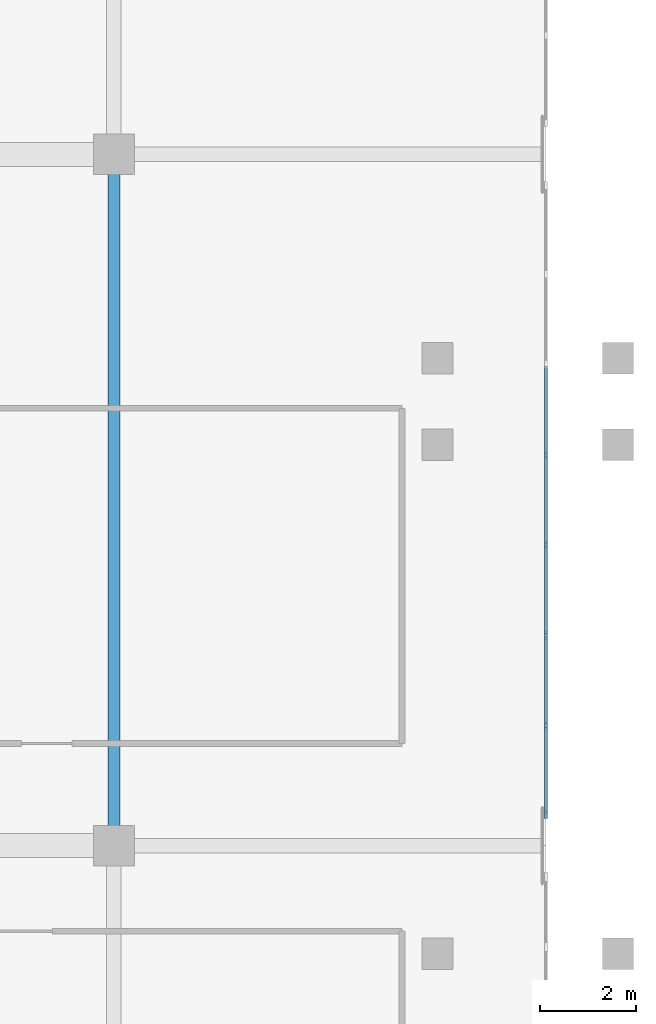
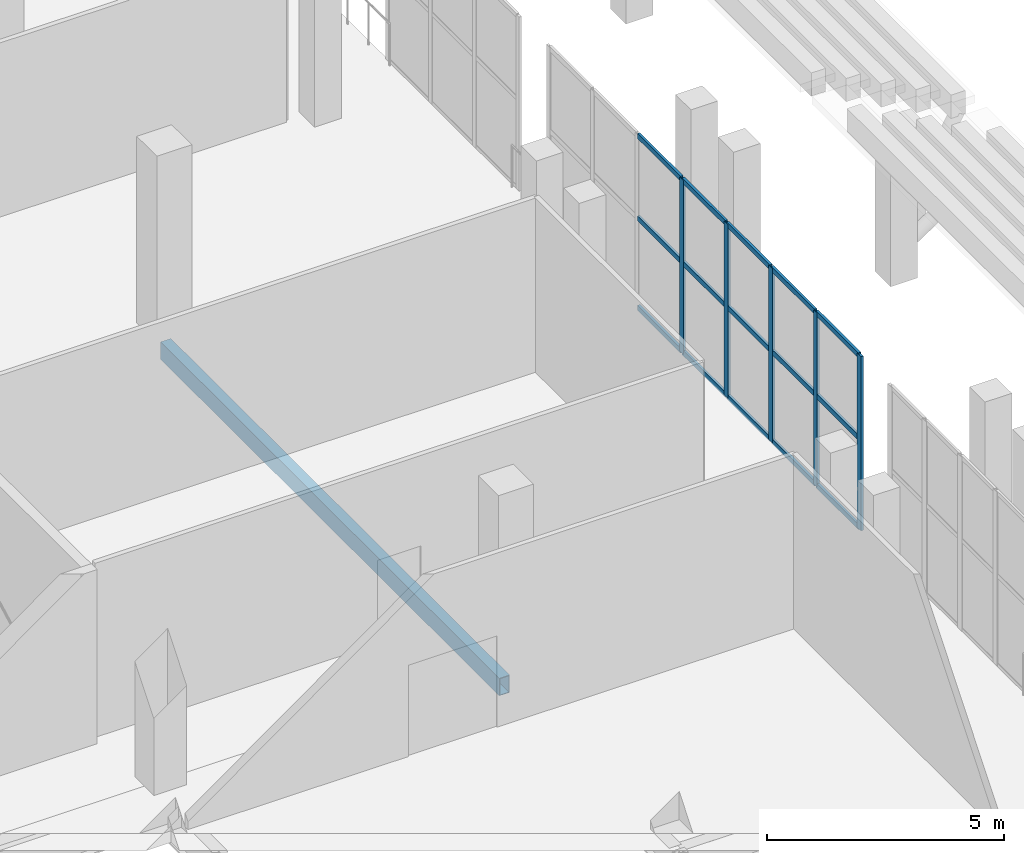
# One storey, part 24 of 142: 20 members, 1 beam, 1 element without a shape of its own.
"""IFC4 building model written with IfcOpenShell, lengths in metres."""

from ifc_helpers import new_model, si_unit, direction, frame, origin, origin_2d, place, context, subcontext, project, spatial, rectangle, hollow_rectangle, extrude, material, material_profile, profile_set, type_object, element, aggregate, save


model = new_model("IFC4")

# Units and contexts
model_context = context("Model", 3, precision=1e-05, world=origin(), true_north=direction((0.0, 1.0)))
body_context = subcontext(model_context, "Body", "Model", "MODEL_VIEW")
ifc_project = project(units=[si_unit("LENGTHUNIT", "METRE"), si_unit("AREAUNIT", "SQUARE_METRE"), si_unit("VOLUMEUNIT", "CUBIC_METRE"), si_unit("PLANEANGLEUNIT", "RADIAN"), si_unit("MASSUNIT", "GRAM", prefix="KILO")], contexts=[model_context])

# Site, building, storey
site_placement = place(None, origin())
site = spatial("IfcSite", under=ifc_project, at=site_placement, CompositionType="ELEMENT")
building_placement = place(site_placement, origin())
building = spatial("IfcBuilding", under=site, at=building_placement, Name="Koshinbarg Plaza Stadium", CompositionType="ELEMENT")
storey_placement = place(building_placement, frame((0.0, 0.0, 10.199951171875)))
storey = spatial("IfcBuildingStorey", under=building, at=storey_placement, Name="L02", CompositionType="ELEMENT", Elevation=10.199951171875)

# Beam
ifc_material_1 = material(Name="Steel S355", Category="steel")
ifc_material_profile_1 = material_profile(ifc_material_1, hollow_rectangle(XDim=0.25, YDim=0.449951171875, WallThickness=0.01611328125, at=origin_2d()), Name="RHS 450x250x16")
ifc_profile_set_1 = profile_set([ifc_material_profile_1], Name="Steel S355")
beam_type = type_object("IfcBeamType", Name="BM-SGIR-06", PredefinedType="USERDEFINED", material=ifc_profile_set_1)
beam_placement = place(storey_placement, frame((54.60009765625, 54.360107421875, -0.52490234375), z_axis=(0.0, 1.0, 0.0), x_axis=(-1.0, 0.0, 0.0)))
element("IfcBeam", 1, at=beam_placement, inside=storey, type_object=beam_type, Name="L02 Y girder 8/H-J", ObjectType="GIRDER", PredefinedType="USERDEFINED", context=body_context, shape_type="SweptSolid", body=[
    extrude(hollow_rectangle(XDim=0.25, YDim=0.449951171875, WallThickness=0.01611328125, at=origin_2d()), origin(), (0.0, 0.0, 1.0), 14.27978515625),
])

# Curtain wall, members
ifc_material_2 = material(Name="Thermally broken anodised aluminium and low-E double glazing", Category="aluminium")
curtain_wall_type = type_object("IfcCurtainWallType", Name="CW-SYS-14", PredefinedType="NOTDEFINED", material=ifc_material_2)
curtain_wall_placement = place(storey_placement, origin())
curtain_wall = element("IfcCurtainWall", 2, at=curtain_wall_placement, inside=storey, type_object=curtain_wall_type, Name="L02 unitised curtain wall CW-L02-077", PredefinedType="NOTDEFINED")
ifc_material_3 = material(Name="Anodised aluminium mullion", Category="aluminium")
ifc_material_profile_2 = material_profile(ifc_material_3, rectangle(XDim=0.06005859375, YDim=0.159912109375, at=origin_2d()), Name="ALU 60x160")
ifc_profile_set_2 = profile_set([ifc_material_profile_2], Name="Anodised aluminium mullion")
member_type_1 = type_object("IfcMemberType", Name="CW-MUL-02", PredefinedType="MULLION", material=ifc_profile_set_2)
member_1_placement = place(storey_placement, frame((63.60009765625, 62.43994140625, 0.0), z_axis=(0.0, 0.0, 1.0), x_axis=(1.0, 0.0, 0.0)))
member_1 = element("IfcMember", 3, at=member_1_placement, type_object=member_type_1, Name="CW14 mullion 4", PredefinedType="MULLION", context=body_context, shape_type="SweptSolid", body=[
    extrude(rectangle(XDim=0.06005859375, YDim=0.159912109375, at=origin_2d()), origin(), (0.0, 0.0, 1.0), 4.47998046875),
])
member_2_placement = place(storey_placement, frame((63.60009765625, 60.56005859375, 0.0), z_axis=(0.0, 0.0, 1.0), x_axis=(1.0, 0.0, 0.0)))
member_2 = element("IfcMember", 4, at=member_2_placement, type_object=member_type_1, Name="CW14 mullion 5", PredefinedType="MULLION", context=body_context, shape_type="SweptSolid", body=[
    extrude(rectangle(XDim=0.06005859375, YDim=0.159912109375, at=origin_2d()), origin(), (0.0, 0.0, 1.0), 4.47998046875),
])
member_3_placement = place(storey_placement, frame((63.60009765625, 58.679931640625, 0.0), z_axis=(0.0, 0.0, 1.0), x_axis=(1.0, 0.0, 0.0)))
member_3 = element("IfcMember", 5, at=member_3_placement, type_object=member_type_1, Name="CW14 mullion 6", PredefinedType="MULLION", context=body_context, shape_type="SweptSolid", body=[
    extrude(rectangle(XDim=0.06005859375, YDim=0.159912109375, at=origin_2d()), origin(), (0.0, 0.0, 1.0), 4.47998046875),
])
member_4_placement = place(storey_placement, frame((63.60009765625, 56.800048828125, 0.0), z_axis=(0.0, 0.0, 1.0), x_axis=(1.0, 0.0, 0.0)))
member_4 = element("IfcMember", 6, at=member_4_placement, type_object=member_type_1, Name="CW14 mullion 7", PredefinedType="MULLION", context=body_context, shape_type="SweptSolid", body=[
    extrude(rectangle(XDim=0.06005859375, YDim=0.159912109375, at=origin_2d()), origin(), (0.0, 0.0, 1.0), 4.47998046875),
])
member_5_placement = place(storey_placement, frame((63.60009765625, 54.949951171875, 0.0), z_axis=(0.0, 0.0, 1.0), x_axis=(1.0, 0.0, 0.0)))
member_5 = element("IfcMember", 7, at=member_5_placement, type_object=member_type_1, Name="CW14 mullion 8", PredefinedType="MULLION", context=body_context, shape_type="SweptSolid", body=[
    extrude(rectangle(XDim=0.06005859375, YDim=0.159912109375, at=origin_2d()), origin(), (0.0, 0.0, 1.0), 4.47998046875),
])
ifc_material_4 = material(Name="Anodised aluminium transom", Category="aluminium")
ifc_material_profile_3 = material_profile(ifc_material_4, rectangle(XDim=0.06005859375, YDim=0.1298828125, at=origin_2d()), Name="ALU 60x130")
ifc_profile_set_3 = profile_set([ifc_material_profile_3], Name="Anodised aluminium transom")
member_type_2 = type_object("IfcMemberType", Name="CW-TRN-02", PredefinedType="USERDEFINED", material=ifc_profile_set_3)
member_6_placement = place(storey_placement, frame((63.60009765625, 64.2900390625, 0.030029296875), z_axis=(0.0, -1.0, 0.0), x_axis=(1.0, 0.0, 0.0)))
member_6 = element("IfcMember", 8, at=member_6_placement, type_object=member_type_2, Name="CW14 transom 3.1", ObjectType="TRANSOM", PredefinedType="USERDEFINED", context=body_context, shape_type="SweptSolid", body=[
    extrude(rectangle(XDim=0.06005859375, YDim=0.1298828125, at=origin_2d()), origin(), (0.0, 0.0, 1.0), 1.820068359375),
])
member_7_placement = place(storey_placement, frame((63.60009765625, 64.2900390625, 2.32958984375), z_axis=(0.0, -1.0, 0.0), x_axis=(1.0, 0.0, 0.0)))
member_7 = element("IfcMember", 9, at=member_7_placement, type_object=member_type_2, Name="CW14 transom 3.2", ObjectType="TRANSOM", PredefinedType="USERDEFINED", context=body_context, shape_type="SweptSolid", body=[
    extrude(rectangle(XDim=0.06005859375, YDim=0.1298828125, at=origin_2d()), origin(), (0.0, 0.0, 1.0), 1.820068359375),
])
member_8_placement = place(storey_placement, frame((63.60009765625, 64.2900390625, 4.449951171875), z_axis=(0.0, -1.0, 0.0), x_axis=(1.0, 0.0, 0.0)))
member_8 = element("IfcMember", 10, at=member_8_placement, type_object=member_type_2, Name="CW14 transom 3.3", ObjectType="TRANSOM", PredefinedType="USERDEFINED", context=body_context, shape_type="SweptSolid", body=[
    extrude(rectangle(XDim=0.06005859375, YDim=0.1298828125, at=origin_2d()), origin(), (0.0, 0.0, 1.0), 1.820068359375),
])
member_9_placement = place(storey_placement, frame((63.60009765625, 62.409912109375, 0.030029296875), z_axis=(0.0, -1.0, 0.0), x_axis=(1.0, 0.0, 0.0)))
member_9 = element("IfcMember", 11, at=member_9_placement, type_object=member_type_2, Name="CW14 transom 4.1", ObjectType="TRANSOM", PredefinedType="USERDEFINED", context=body_context, shape_type="SweptSolid", body=[
    extrude(rectangle(XDim=0.06005859375, YDim=0.1298828125, at=origin_2d()), origin(), (0.0, 0.0, 1.0), 1.81982421875),
])
member_10_placement = place(storey_placement, frame((63.60009765625, 62.409912109375, 2.32958984375), z_axis=(0.0, -1.0, 0.0), x_axis=(1.0, 0.0, 0.0)))
member_10 = element("IfcMember", 12, at=member_10_placement, type_object=member_type_2, Name="CW14 transom 4.2", ObjectType="TRANSOM", PredefinedType="USERDEFINED", context=body_context, shape_type="SweptSolid", body=[
    extrude(rectangle(XDim=0.06005859375, YDim=0.1298828125, at=origin_2d()), origin(), (0.0, 0.0, 1.0), 1.81982421875),
])
member_11_placement = place(storey_placement, frame((63.60009765625, 62.409912109375, 4.449951171875), z_axis=(0.0, -1.0, 0.0), x_axis=(1.0, 0.0, 0.0)))
member_11 = element("IfcMember", 13, at=member_11_placement, type_object=member_type_2, Name="CW14 transom 4.3", ObjectType="TRANSOM", PredefinedType="USERDEFINED", context=body_context, shape_type="SweptSolid", body=[
    extrude(rectangle(XDim=0.06005859375, YDim=0.1298828125, at=origin_2d()), origin(), (0.0, 0.0, 1.0), 1.81982421875),
])
member_12_placement = place(storey_placement, frame((63.60009765625, 60.530029296875, 0.030029296875), z_axis=(0.0, -1.0, 0.0), x_axis=(1.0, 0.0, 0.0)))
member_12 = element("IfcMember", 14, at=member_12_placement, type_object=member_type_2, Name="CW14 transom 5.1", ObjectType="TRANSOM", PredefinedType="USERDEFINED", context=body_context, shape_type="SweptSolid", body=[
    extrude(rectangle(XDim=0.06005859375, YDim=0.1298828125, at=origin_2d()), origin(), (0.0, 0.0, 1.0), 1.820068359375),
])
member_13_placement = place(storey_placement, frame((63.60009765625, 60.530029296875, 2.32958984375), z_axis=(0.0, -1.0, 0.0), x_axis=(1.0, 0.0, 0.0)))
member_13 = element("IfcMember", 15, at=member_13_placement, type_object=member_type_2, Name="CW14 transom 5.2", ObjectType="TRANSOM", PredefinedType="USERDEFINED", context=body_context, shape_type="SweptSolid", body=[
    extrude(rectangle(XDim=0.06005859375, YDim=0.1298828125, at=origin_2d()), origin(), (0.0, 0.0, 1.0), 1.820068359375),
])
member_14_placement = place(storey_placement, frame((63.60009765625, 60.530029296875, 4.449951171875), z_axis=(0.0, -1.0, 0.0), x_axis=(1.0, 0.0, 0.0)))
member_14 = element("IfcMember", 16, at=member_14_placement, type_object=member_type_2, Name="CW14 transom 5.3", ObjectType="TRANSOM", PredefinedType="USERDEFINED", context=body_context, shape_type="SweptSolid", body=[
    extrude(rectangle(XDim=0.06005859375, YDim=0.1298828125, at=origin_2d()), origin(), (0.0, 0.0, 1.0), 1.820068359375),
])
member_15_placement = place(storey_placement, frame((63.60009765625, 58.64990234375, 0.030029296875), z_axis=(0.0, -1.0, 0.0), x_axis=(1.0, 0.0, 0.0)))
member_15 = element("IfcMember", 17, at=member_15_placement, type_object=member_type_2, Name="CW14 transom 6.1", ObjectType="TRANSOM", PredefinedType="USERDEFINED", context=body_context, shape_type="SweptSolid", body=[
    extrude(rectangle(XDim=0.06005859375, YDim=0.1298828125, at=origin_2d()), origin(), (0.0, 0.0, 1.0), 1.81982421875),
])
member_16_placement = place(storey_placement, frame((63.60009765625, 58.64990234375, 2.32958984375), z_axis=(0.0, -1.0, 0.0), x_axis=(1.0, 0.0, 0.0)))
member_16 = element("IfcMember", 18, at=member_16_placement, type_object=member_type_2, Name="CW14 transom 6.2", ObjectType="TRANSOM", PredefinedType="USERDEFINED", context=body_context, shape_type="SweptSolid", body=[
    extrude(rectangle(XDim=0.06005859375, YDim=0.1298828125, at=origin_2d()), origin(), (0.0, 0.0, 1.0), 1.81982421875),
])
member_17_placement = place(storey_placement, frame((63.60009765625, 58.64990234375, 4.449951171875), z_axis=(0.0, -1.0, 0.0), x_axis=(1.0, 0.0, 0.0)))
member_17 = element("IfcMember", 19, at=member_17_placement, type_object=member_type_2, Name="CW14 transom 6.3", ObjectType="TRANSOM", PredefinedType="USERDEFINED", context=body_context, shape_type="SweptSolid", body=[
    extrude(rectangle(XDim=0.06005859375, YDim=0.1298828125, at=origin_2d()), origin(), (0.0, 0.0, 1.0), 1.81982421875),
])
member_18_placement = place(storey_placement, frame((63.60009765625, 56.77001953125, 0.030029296875), z_axis=(0.0, -1.0, 0.0), x_axis=(1.0, 0.0, 0.0)))
member_18 = element("IfcMember", 20, at=member_18_placement, type_object=member_type_2, Name="CW14 transom 7.1", ObjectType="TRANSOM", PredefinedType="USERDEFINED", context=body_context, shape_type="SweptSolid", body=[
    extrude(rectangle(XDim=0.06005859375, YDim=0.1298828125, at=origin_2d()), origin(), (0.0, 0.0, 1.0), 1.7900390625),
])
member_19_placement = place(storey_placement, frame((63.60009765625, 56.77001953125, 2.32958984375), z_axis=(0.0, -1.0, 0.0), x_axis=(1.0, 0.0, 0.0)))
member_19 = element("IfcMember", 21, at=member_19_placement, type_object=member_type_2, Name="CW14 transom 7.2", ObjectType="TRANSOM", PredefinedType="USERDEFINED", context=body_context, shape_type="SweptSolid", body=[
    extrude(rectangle(XDim=0.06005859375, YDim=0.1298828125, at=origin_2d()), origin(), (0.0, 0.0, 1.0), 1.7900390625),
])
member_20_placement = place(storey_placement, frame((63.60009765625, 56.77001953125, 4.449951171875), z_axis=(0.0, -1.0, 0.0), x_axis=(1.0, 0.0, 0.0)))
member_20 = element("IfcMember", 22, at=member_20_placement, type_object=member_type_2, Name="CW14 transom 7.3", ObjectType="TRANSOM", PredefinedType="USERDEFINED", context=body_context, shape_type="SweptSolid", body=[
    extrude(rectangle(XDim=0.06005859375, YDim=0.1298828125, at=origin_2d()), origin(), (0.0, 0.0, 1.0), 1.7900390625),
])
aggregate(curtain_wall, [member_1, member_2, member_3, member_4, member_5, member_6, member_7, member_8, member_9, member_10, member_11, member_12, member_13, member_14, member_15, member_16, member_17, member_18, member_19, member_20])

save(model, "model.ifc")
